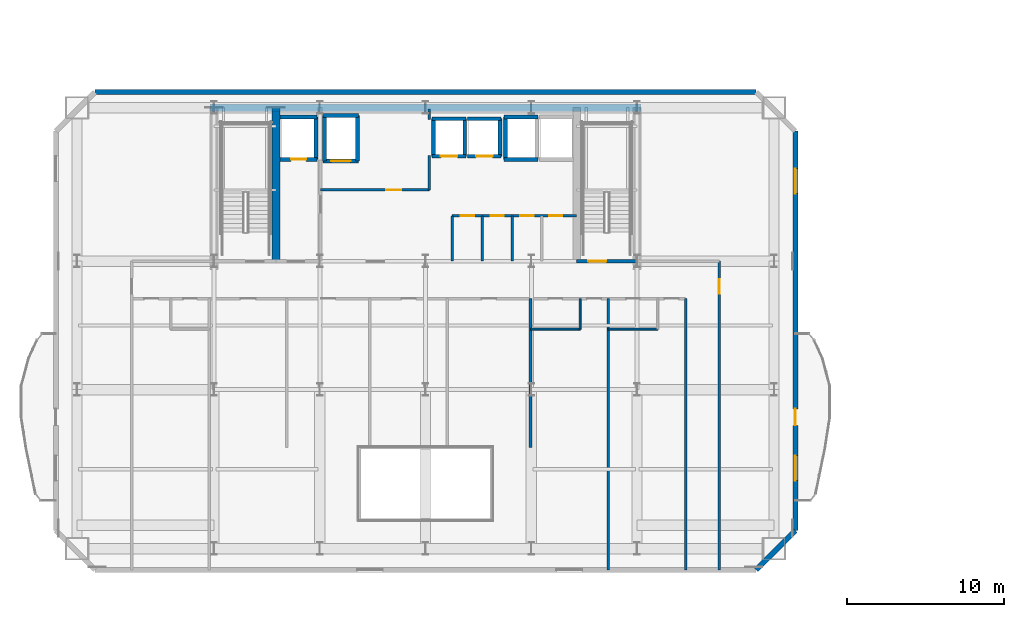
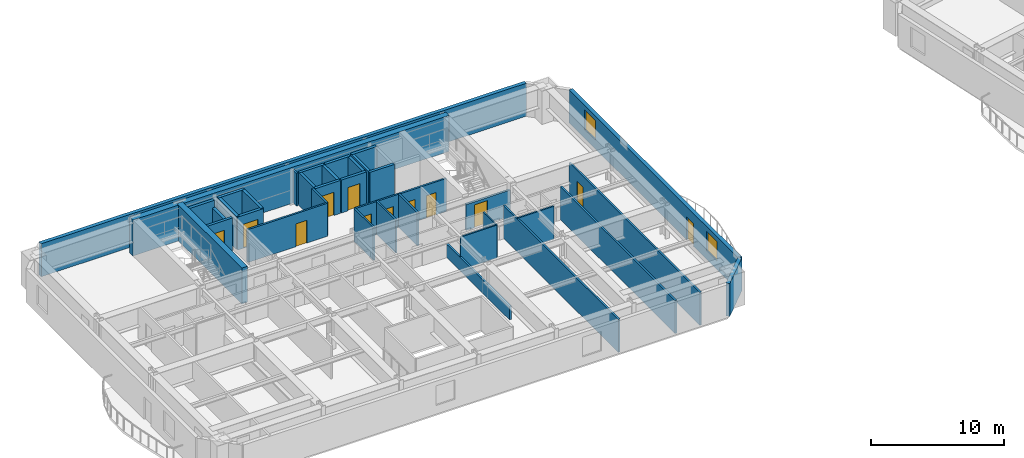
# One storey, part 8 of 15: 37 walls, 12 doors, 2 windows, 14 openings.
"""IFC4 building model written with IfcOpenShell, lengths in metres."""

from ifc_helpers import new_model, si_unit, direction, frame, frame_2d, origin, place, context, subcontext, project, spatial, rectangle, extrude, material, layer, layer_set, type_object, element, fill, save


model = new_model("IFC4")

# Units and contexts
model_context = context("Model", 3, precision=1e-05, world=origin(), true_north=direction((0.0, 1.0)))
body_context = subcontext(model_context, "Body", "Model", "MODEL_VIEW")
ifc_project = project(units=[si_unit("LENGTHUNIT", "METRE"), si_unit("AREAUNIT", "SQUARE_METRE"), si_unit("VOLUMEUNIT", "CUBIC_METRE"), si_unit("PLANEANGLEUNIT", "RADIAN"), si_unit("MASSUNIT", "GRAM", prefix="KILO")], contexts=[model_context])

# Site, building, storey
site_placement = place(None, origin())
site = spatial("IfcSite", under=ifc_project, at=site_placement, CompositionType="ELEMENT")
building_placement = place(site_placement, origin())
building = spatial("IfcBuilding", under=site, at=building_placement, Name="Haevon Station Towers", CompositionType="ELEMENT")
storey_placement = place(building_placement, frame((0.0, 0.0, 109.800048828125)))
storey = spatial("IfcBuildingStorey", under=building, at=storey_placement, Name="L29", CompositionType="ELEMENT", Elevation=109.800048828125)

# Wall
ifc_material_1 = material(Name="Gypsum board on steel stud", Category="steel")
ifc_layer_1 = layer(ifc_material_1, 0.179931640625)
ifc_layer_set_1 = layer_set([ifc_layer_1], Name="Gypsum board on steel stud")
wall_type_1 = type_object("IfcWallType", Name="WL-ACU180", PredefinedType="PARTITIONING", material=ifc_layer_set_1)
wall_1_placement = place(storey_placement, frame((44.201904296875, 26.300048828125, 0.0), z_axis=(0.0, 0.0, 1.0), x_axis=(0.0, 1.0, 0.0)))
element("IfcWall", 1, at=wall_1_placement, inside=storey, type_object=wall_type_1, Name="WL-T1PT-L29-18", PredefinedType="PARTITIONING", context=body_context, shape_type="SweptSolid", body=[
    extrude(rectangle(XDim=9.52001953125, YDim=0.179931640625, at=frame_2d((4.760009765625, 0.0))), origin(), (0.0, 0.0, 1.0), 1.22998046875),
])

# Wall, opening, door
ifc_layer_2 = layer(ifc_material_1, 0.199951171875)
ifc_layer_set_2 = layer_set([ifc_layer_2], Name="Gypsum board on steel stud")
wall_type_2 = type_object("IfcWallType", Name="WL-COR200", PredefinedType="PARTITIONING", material=ifc_layer_set_2)
wall_2_placement = place(storey_placement, frame((47.14990234375, 38.199951171875, 0.0), z_axis=(0.0, 0.0, 1.0), x_axis=(1.0, 0.0, 0.0)))
wall_2 = element("IfcWall", 2, at=wall_2_placement, inside=storey, type_object=wall_type_2, Name="WL-ST-ST2-L29", PredefinedType="PARTITIONING", context=body_context, shape_type="SweptSolid", body=[
    extrude(rectangle(XDim=3.85009765625, YDim=0.199951171875, at=frame_2d((1.925048828125, 0.0))), origin(), (0.0, 0.0, 1.0), 2.3798828125),
])
opening_1_placement = place(wall_2_placement, frame((0.75, 0.0, 0.0)))
opening_1 = element("IfcOpeningElement", 3, at=opening_1_placement, cuts=wall_2, Name="Opening DR-ST-ST2-L29", PredefinedType="OPENING", context=body_context, shape_type="SweptSolid", body=[
    extrude(rectangle(XDim=1.1201171875, YDim=2.10009765625, at=frame_2d((0.56005859375, 1.050048828125))), frame((0.0, 0.10986328125, 0.0), z_axis=(0.0, -1.0, 0.0), x_axis=(1.0, 0.0, 0.0)), (0.0, 0.0, 1.0), 0.219970703125),
])
ifc_material_2 = material(Name="Engineered oak timber", Category="wood")
door_type_1 = type_object("IfcDoorType", Name="DR-ST-1120", OperationType="NOTDEFINED", PredefinedType="DOOR", material=ifc_material_2)
door_1_placement = place(opening_1_placement, origin())
door_1 = element("IfcDoor", 4, at=door_1_placement, inside=storey, type_object=door_type_1, Name="L29 Escape Stair ST2 Fire Door", OperationType="SINGLE_SWING_LEFT", OverallHeight=2.10009765625, OverallWidth=1.1201171875, PredefinedType="DOOR", context=body_context, shape_type="SweptSolid", body=[
    extrude(rectangle(XDim=1.1201171875, YDim=2.10009765625, at=frame_2d((0.56005859375, 1.050048828125))), frame((0.0, 0.02490234375, 0.0), z_axis=(0.0, -1.0, 0.0), x_axis=(1.0, 0.0, 0.0)), (0.0, 0.0, 1.0), 0.050048828125),
])
fill(opening_1, door_1)

# Walls
ifc_material_3 = material(Name="Concrete C60/75", Category="concrete")
ifc_layer_3 = layer(ifc_material_3, 0.5)
ifc_layer_set_3 = layer_set([ifc_layer_3], Name="Concrete C60/75")
wall_type_3 = type_object("IfcWallType", Name="WL-CR500", PredefinedType="SHEAR", material=ifc_layer_set_3)
wall_3_placement = place(storey_placement, frame((23.75, 48.0, 0.0), z_axis=(0.0, 0.0, 1.0), x_axis=(1.0, 0.0, 0.0)))
element("IfcWall", 5, at=wall_3_placement, inside=storey, type_object=wall_type_3, Name="WL-T1CR-L29-N", PredefinedType="SHEAR", context=body_context, shape_type="SweptSolid", body=[
    extrude(rectangle(XDim=27.5, YDim=0.5, at=frame_2d((13.75, 0.0))), origin(), (0.0, 0.0, 1.0), 3.300048828125),
])
wall_4_placement = place(storey_placement, frame((27.949951171875, 38.199951171875, 0.0), z_axis=(0.0, 0.0, 1.0), x_axis=(0.0, 1.0, 0.0)))
element("IfcWall", 6, at=wall_4_placement, inside=storey, type_object=wall_type_3, Name="WL-T1CR-L29-M1", PredefinedType="SHEAR", context=body_context, shape_type="SweptSolid", body=[
    extrude(rectangle(XDim=9.800048828125, YDim=0.5, at=frame_2d((4.89990234375, 0.0))), origin(), (0.0, 0.0, 1.0), 3.300048828125),
])
ifc_material_4 = material(Name="Precast concrete C45/55", Category="concrete")
ifc_layer_4 = layer(ifc_material_4, 0.320068359375)
ifc_layer_set_4 = layer_set([ifc_layer_4], Name="Precast concrete C45/55")
wall_type_4 = type_object("IfcWallType", Name="WL-EXT-PIER320", PredefinedType="SOLIDWALL", material=ifc_layer_set_4)
wall_5_placement = place(storey_placement, frame((16.39990234375, 49.0, 0.0), z_axis=(0.0, 0.0, 1.0), x_axis=(1.0, 0.0, 0.0)))
element("IfcWall", 7, at=wall_5_placement, inside=storey, type_object=wall_type_4, Name="WL-T1-L29-N", PredefinedType="SOLIDWALL", context=body_context, shape_type="SweptSolid", body=[
    extrude(rectangle(XDim=42.2001953125, YDim=0.320068359375, at=frame_2d((21.10009765625, 0.0))), origin(), (0.0, 0.0, 1.0), 3.030029296875),
])

# Wall, openings, door, windows
wall_6_placement = place(storey_placement, frame((61.10009765625, 46.5, 0.0), z_axis=(0.0, 0.0, 1.0), x_axis=(0.0, -1.0, 0.0)))
wall_6 = element("IfcWall", 8, at=wall_6_placement, inside=storey, type_object=wall_type_4, Name="WL-T1-L29-E", PredefinedType="SOLIDWALL", context=body_context, shape_type="SweptSolid", body=[
    extrude(rectangle(XDim=25.5, YDim=0.320068359375, at=frame_2d((12.75, 0.0))), origin(), (0.0, 0.0, 1.0), 3.030029296875),
])
opening_2_placement = place(wall_6_placement, frame((17.72509765625, 0.0, 0.0)))
opening_2 = element("IfcOpeningElement", 9, at=opening_2_placement, cuts=wall_6, Name="Opening DR-T1-SCAL-L29-E", PredefinedType="OPENING", context=body_context, shape_type="SweptSolid", body=[
    extrude(rectangle(XDim=1.050048828125, YDim=2.10009765625, at=frame_2d((0.52490234375, 1.050048828125))), frame((0.0, 0.169921875, 0.0), z_axis=(0.0, -1.0, 0.0), x_axis=(1.0, 0.0, 0.0)), (0.0, 0.0, 1.0), 0.340087890625),
])
opening_3_placement = place(wall_6_placement, frame((2.392822265625, 0.0, 0.800048828125)))
opening_3 = element("IfcOpeningElement", 10, at=opening_3_placement, cuts=wall_6, Name="Opening WN-END160", PredefinedType="OPENING", context=body_context, shape_type="SweptSolid", body=[
    extrude(rectangle(XDim=1.60009765625, YDim=1.800048828125, at=frame_2d((0.800048828125, 0.89990234375))), frame((0.0, 0.169921875, 0.0), z_axis=(0.0, -1.0, 0.0), x_axis=(1.0, 0.0, 0.0)), (0.0, 0.0, 1.0), 0.340087890625),
])
opening_4_placement = place(wall_6_placement, frame((20.710693359375, 0.0, 0.800048828125)))
opening_4 = element("IfcOpeningElement", 11, at=opening_4_placement, cuts=wall_6, Name="Opening WN-END160", PredefinedType="OPENING", context=body_context, shape_type="SweptSolid", body=[
    extrude(rectangle(XDim=1.60009765625, YDim=1.800048828125, at=frame_2d((0.800048828125, 0.89990234375))), frame((0.0, 0.169921875, 0.0), z_axis=(0.0, -1.0, 0.0), x_axis=(1.0, 0.0, 0.0)), (0.0, 0.0, 1.0), 0.340087890625),
])
ifc_material_5 = material(Name="Thermally broken anodised aluminium and laminated safety glass", Category="aluminium")
door_type_2 = type_object("IfcDoorType", Name="DR-BALC-1050", OperationType="NOTDEFINED", PredefinedType="DOOR", material=ifc_material_5)
door_2_placement = place(opening_2_placement, origin())
door_2 = element("IfcDoor", 12, at=door_2_placement, inside=storey, type_object=door_type_2, Name="Tower 1 L29 East Scalloped Balcony Door", OperationType="SINGLE_SWING_LEFT", OverallHeight=2.10009765625, OverallWidth=1.050048828125, PredefinedType="DOOR", context=body_context, shape_type="SweptSolid", body=[
    extrude(rectangle(XDim=1.050048828125, YDim=2.10009765625, at=frame_2d((0.52490234375, 1.050048828125))), frame((0.0, 0.02490234375, 0.0), z_axis=(0.0, -1.0, 0.0), x_axis=(1.0, 0.0, 0.0)), (0.0, 0.0, 1.0), 0.050048828125),
])
fill(opening_2, door_2)
ifc_material_6 = material(Name="Low-E triple glazing in thermally broken aluminium", Category="aluminium")
window_type = type_object("IfcWindowType", Name="WN-END160", PartitioningType="SINGLE_PANEL", PredefinedType="WINDOW", material=ifc_material_6)
window_1_placement = place(opening_3_placement, origin())
window_1 = element("IfcWindow", 13, at=window_1_placement, inside=storey, type_object=window_type, Name="WN-T1-L29-E01", OverallHeight=1.800048828125, OverallWidth=1.60009765625, PartitioningType="SINGLE_PANEL", PredefinedType="WINDOW", context=body_context, shape_type="SweptSolid", body=[
    extrude(rectangle(XDim=1.60009765625, YDim=1.800048828125, at=frame_2d((0.800048828125, 0.89990234375))), frame((0.0, 0.030029296875, 0.0), z_axis=(0.0, -1.0, 0.0), x_axis=(1.0, 0.0, 0.0)), (0.0, 0.0, 1.0), 0.06005859375),
])
fill(opening_3, window_1)
window_2_placement = place(opening_4_placement, origin())
window_2 = element("IfcWindow", 14, at=window_2_placement, inside=storey, type_object=window_type, Name="WN-T1-L29-E02", OverallHeight=1.800048828125, OverallWidth=1.60009765625, PartitioningType="SINGLE_PANEL", PredefinedType="WINDOW", context=body_context, shape_type="SweptSolid", body=[
    extrude(rectangle(XDim=1.60009765625, YDim=1.800048828125, at=frame_2d((0.800048828125, 0.89990234375))), frame((0.0, 0.030029296875, 0.0), z_axis=(0.0, -1.0, 0.0), x_axis=(1.0, 0.0, 0.0)), (0.0, 0.0, 1.0), 0.06005859375),
])
fill(opening_4, window_2)

# Walls
wall_7_placement = place(storey_placement, frame((61.10009765625, 21.0, 0.0), z_axis=(0.0, 0.0, 1.0), x_axis=(-0.707106781187, -0.707106781187, 0.0)))
element("IfcWall", 15, at=wall_7_placement, inside=storey, type_object=wall_type_4, Name="WL-T1-L29-SEC", PredefinedType="SOLIDWALL", context=body_context, shape_type="SweptSolid", body=[
    extrude(rectangle(XDim=3.53564453125, YDim=0.320068359375, at=frame_2d((1.767822265625, 0.0))), origin(), (0.0, 0.0, 1.0), 3.030029296875),
])
ifc_layer_5 = layer(ifc_material_1, 0.125)
ifc_layer_set_5 = layer_set([ifc_layer_5], Name="Gypsum board on steel stud")
wall_type_5 = type_object("IfcWallType", Name="WL-PRT125", PredefinedType="PARTITIONING", material=ifc_layer_set_5)
wall_8_placement = place(storey_placement, frame((44.201904296875, 33.8701171875, 0.0), z_axis=(0.0, 0.0, 1.0), x_axis=(1.0, 0.0, 0.0)))
element("IfcWall", 16, at=wall_8_placement, inside=storey, type_object=wall_type_5, Name="WL-T1PT-L29-20", PredefinedType="PARTITIONING", context=body_context, shape_type="SweptSolid", body=[
    extrude(rectangle(XDim=3.169189453125, YDim=0.125, at=frame_2d((1.58447265625, 0.0))), origin(), (0.0, 0.0, 1.0), 3.030029296875),
])
wall_9_placement = place(storey_placement, frame((47.37109375, 33.8701171875, 0.0), z_axis=(0.0, 0.0, 1.0), x_axis=(0.0, 1.0, 0.0)))
element("IfcWall", 17, at=wall_9_placement, inside=storey, type_object=wall_type_5, Name="WL-T1PT-L29-21", PredefinedType="PARTITIONING", context=body_context, shape_type="SweptSolid", body=[
    extrude(rectangle(XDim=1.949951171875, YDim=0.125, at=frame_2d((0.97509765625, 0.0))), origin(), (0.0, 0.0, 1.0), 3.030029296875),
])
wall_10_placement = place(storey_placement, frame((49.15087890625, 33.8701171875, 0.0), z_axis=(0.0, 0.0, 1.0), x_axis=(1.0, 0.0, 0.0)))
element("IfcWall", 18, at=wall_10_placement, inside=storey, type_object=wall_type_5, Name="WL-T1PT-L29-23", PredefinedType="PARTITIONING", context=body_context, shape_type="SweptSolid", body=[
    extrude(rectangle(XDim=3.169189453125, YDim=0.125, at=frame_2d((1.58447265625, 0.0))), origin(), (0.0, 0.0, 1.0), 3.030029296875),
])

# Wall, opening, door
ifc_layer_6 = layer(ifc_material_1, 0.159912109375)
ifc_layer_set_6 = layer_set([ifc_layer_6], Name="Gypsum board on steel stud")
wall_type_6 = type_object("IfcWallType", Name="WL-PRT160", PredefinedType="PARTITIONING", material=ifc_layer_set_6)
wall_11_placement = place(storey_placement, frame((30.800048828125, 42.75, 0.0), z_axis=(0.0, 0.0, 1.0), x_axis=(1.0, 0.0, 0.0)))
wall_11 = element("IfcWall", 19, at=wall_11_placement, inside=storey, type_object=wall_type_6, Name="WL-T1CW-L29-01", PredefinedType="PARTITIONING", context=body_context, shape_type="SweptSolid", body=[
    extrude(rectangle(XDim=6.949951171875, YDim=0.159912109375, at=frame_2d((3.47509765625, 0.0))), origin(), (0.0, 0.0, 1.0), 3.030029296875),
])
opening_5_placement = place(wall_11_placement, frame((4.199951171875, 0.0, 0.0)))
opening_5 = element("IfcOpeningElement", 20, at=opening_5_placement, cuts=wall_11, Name="Opening DR-WL-T1CW-L29-01-1", PredefinedType="OPENING", context=body_context, shape_type="SweptSolid", body=[
    extrude(rectangle(XDim=0.949951171875, YDim=2.10009765625, at=frame_2d((0.47509765625, 1.050048828125))), frame((0.0, 0.08984375, 0.0), z_axis=(0.0, -1.0, 0.0), x_axis=(1.0, 0.0, 0.0)), (0.0, 0.0, 1.0), 0.179931640625),
])
door_type_3 = type_object("IfcDoorType", Name="DR-FD60-950", OperationType="NOTDEFINED", PredefinedType="DOOR", material=ifc_material_2)
door_3_placement = place(opening_5_placement, origin())
door_3 = element("IfcDoor", 21, at=door_3_placement, inside=storey, type_object=door_type_3, Name="L29 Tower 1 Core Room Door 1-1", OperationType="SINGLE_SWING_LEFT", OverallHeight=2.10009765625, OverallWidth=0.949951171875, PredefinedType="DOOR", context=body_context, shape_type="SweptSolid", body=[
    extrude(rectangle(XDim=0.949951171875, YDim=2.10009765625, at=frame_2d((0.47509765625, 1.050048828125))), frame((0.0, 0.02490234375, 0.0), z_axis=(0.0, -1.0, 0.0), x_axis=(1.0, 0.0, 0.0)), (0.0, 0.0, 1.0), 0.050048828125),
])
fill(opening_5, door_3)

# Walls
wall_12_placement = place(storey_placement, frame((37.75, 42.75, 0.0), z_axis=(0.0, 0.0, 1.0), x_axis=(0.0, 1.0, 0.0)))
element("IfcWall", 22, at=wall_12_placement, inside=storey, type_object=wall_type_6, Name="WL-T1CW-L29-02", PredefinedType="PARTITIONING", context=body_context, shape_type="SweptSolid", body=[
    extrude(rectangle(XDim=2.199951171875, YDim=0.159912109375, at=frame_2d((1.10009765625, 0.0))), origin(), (0.0, 0.0, 1.0), 3.030029296875),
])
wall_13_placement = place(storey_placement, frame((37.75, 47.25, 0.0), z_axis=(0.0, 0.0, 1.0), x_axis=(0.0, 1.0, 0.0)))
element("IfcWall", 23, at=wall_13_placement, inside=storey, type_object=wall_type_6, Name="WL-T1CW-L29-03", PredefinedType="PARTITIONING", context=body_context, shape_type="SweptSolid", body=[
    extrude(rectangle(XDim=0.64990234375, YDim=0.159912109375, at=frame_2d((0.324951171875, 0.0))), origin(), (0.0, 0.0, 1.0), 3.030029296875),
])
for number, where, z_axis, x_axis, name in (
    (24, (39.199951171875, 38.199951171875, 0.0), (0.0, 0.0, 1.0), (0.0, 1.0, 0.0), "WL-T1CW-L29-04"),
    (25, (41.1298828125, 38.199951171875, 0.0), (0.0, 0.0, 1.0), (0.0, 1.0, 0.0), "WL-T1CW-L29-05"),
    (26, (43.030029296875, 38.199951171875, 0.0), (0.0, 0.0, 1.0), (0.0, 1.0, 0.0), "WL-T1CW-L29-06"),
):
    element("IfcWall", number, at=place(storey_placement, frame(where, z_axis=z_axis, x_axis=x_axis)), inside=storey, type_object=wall_type_6, Name=name, PredefinedType="PARTITIONING", context=body_context, shape_type="SweptSolid", body=[
        extrude(rectangle(XDim=2.900146484375, YDim=0.159912109375, at=frame_2d((1.4501953125, 0.0))), origin(), (0.0, 0.0, 1.0), 3.030029296875),
    ])

# Wall, openings, doors
wall_14_placement = place(storey_placement, frame((39.199951171875, 41.10009765625, 0.0), z_axis=(0.0, 0.0, 1.0), x_axis=(1.0, 0.0, 0.0)))
wall_14 = element("IfcWall", 27, at=wall_14_placement, inside=storey, type_object=wall_type_6, Name="WL-T1CW-L29-08", PredefinedType="PARTITIONING", context=body_context, shape_type="SweptSolid", body=[
    extrude(rectangle(XDim=7.949951171875, YDim=0.159912109375, at=frame_2d((3.97509765625, 0.0))), origin(), (0.0, 0.0, 1.0), 3.030029296875),
])
opening_6_placement = place(wall_14_placement, frame((0.56005859375, 0.0, 0.0)))
opening_6 = element("IfcOpeningElement", 28, at=opening_6_placement, cuts=wall_14, Name="Opening DR-WL-T1CW-L29-08-1", PredefinedType="OPENING", context=body_context, shape_type="SweptSolid", body=[
    extrude(rectangle(XDim=0.85009765625, YDim=2.050048828125, at=frame_2d((0.425048828125, 1.02490234375))), frame((0.0, 0.08984375, 0.0), z_axis=(0.0, -1.0, 0.0), x_axis=(1.0, 0.0, 0.0)), (0.0, 0.0, 1.0), 0.179931640625),
])
opening_7_placement = place(wall_14_placement, frame((2.455078125, 0.0, 0.0)))
opening_7 = element("IfcOpeningElement", 29, at=opening_7_placement, cuts=wall_14, Name="Opening DR-WL-T1CW-L29-08-2", PredefinedType="OPENING", context=body_context, shape_type="SweptSolid", body=[
    extrude(rectangle(XDim=0.85009765625, YDim=2.050048828125, at=frame_2d((0.425048828125, 1.02490234375))), frame((0.0, 0.08984375, 0.0), z_axis=(0.0, -1.0, 0.0), x_axis=(1.0, 0.0, 0.0)), (0.0, 0.0, 1.0), 0.179931640625),
])
opening_8_placement = place(wall_14_placement, frame((4.35498046875, 0.0, 0.0)))
opening_8 = element("IfcOpeningElement", 30, at=opening_8_placement, cuts=wall_14, Name="Opening DR-WL-T1CW-L29-08-3", PredefinedType="OPENING", context=body_context, shape_type="SweptSolid", body=[
    extrude(rectangle(XDim=0.85009765625, YDim=2.050048828125, at=frame_2d((0.425048828125, 1.02490234375))), frame((0.0, 0.08984375, 0.0), z_axis=(0.0, -1.0, 0.0), x_axis=(1.0, 0.0, 0.0)), (0.0, 0.0, 1.0), 0.179931640625),
])
opening_9_placement = place(wall_14_placement, frame((6.179931640625, 0.0, 0.0)))
opening_9 = element("IfcOpeningElement", 31, at=opening_9_placement, cuts=wall_14, Name="Opening DR-WL-T1CW-L29-08-4", PredefinedType="OPENING", context=body_context, shape_type="SweptSolid", body=[
    extrude(rectangle(XDim=0.85009765625, YDim=2.050048828125, at=frame_2d((0.425048828125, 1.02490234375))), frame((0.0, 0.08984375, 0.0), z_axis=(0.0, -1.0, 0.0), x_axis=(1.0, 0.0, 0.0)), (0.0, 0.0, 1.0), 0.179931640625),
])
door_type_4 = type_object("IfcDoorType", Name="DR-FD30-850", OperationType="NOTDEFINED", PredefinedType="DOOR", material=ifc_material_2)
door_4_placement = place(opening_6_placement, origin())
door_4 = element("IfcDoor", 32, at=door_4_placement, inside=storey, type_object=door_type_4, Name="L29 Tower 1 Core Room Door 8-1", OperationType="SINGLE_SWING_RIGHT", OverallHeight=2.050048828125, OverallWidth=0.85009765625, PredefinedType="DOOR", context=body_context, shape_type="SweptSolid", body=[
    extrude(rectangle(XDim=0.85009765625, YDim=2.050048828125, at=frame_2d((0.425048828125, 1.02490234375))), frame((0.0, 0.02490234375, 0.0), z_axis=(0.0, -1.0, 0.0), x_axis=(1.0, 0.0, 0.0)), (0.0, 0.0, 1.0), 0.050048828125),
])
fill(opening_6, door_4)
door_5_placement = place(opening_7_placement, origin())
door_5 = element("IfcDoor", 33, at=door_5_placement, inside=storey, type_object=door_type_4, Name="L29 Tower 1 Core Room Door 8-2", OperationType="SINGLE_SWING_LEFT", OverallHeight=2.050048828125, OverallWidth=0.85009765625, PredefinedType="DOOR", context=body_context, shape_type="SweptSolid", body=[
    extrude(rectangle(XDim=0.85009765625, YDim=2.050048828125, at=frame_2d((0.425048828125, 1.02490234375))), frame((0.0, 0.02490234375, 0.0), z_axis=(0.0, -1.0, 0.0), x_axis=(1.0, 0.0, 0.0)), (0.0, 0.0, 1.0), 0.050048828125),
])
fill(opening_7, door_5)
door_6_placement = place(opening_8_placement, origin())
door_6 = element("IfcDoor", 34, at=door_6_placement, inside=storey, type_object=door_type_4, Name="L29 Tower 1 Core Room Door 8-3", OperationType="SINGLE_SWING_RIGHT", OverallHeight=2.050048828125, OverallWidth=0.85009765625, PredefinedType="DOOR", context=body_context, shape_type="SweptSolid", body=[
    extrude(rectangle(XDim=0.85009765625, YDim=2.050048828125, at=frame_2d((0.425048828125, 1.02490234375))), frame((0.0, 0.02490234375, 0.0), z_axis=(0.0, -1.0, 0.0), x_axis=(1.0, 0.0, 0.0)), (0.0, 0.0, 1.0), 0.050048828125),
])
fill(opening_8, door_6)
door_7_placement = place(opening_9_placement, origin())
door_7 = element("IfcDoor", 35, at=door_7_placement, inside=storey, type_object=door_type_4, Name="L29 Tower 1 Core Room Door 8-4", OperationType="SINGLE_SWING_LEFT", OverallHeight=2.050048828125, OverallWidth=0.85009765625, PredefinedType="DOOR", context=body_context, shape_type="SweptSolid", body=[
    extrude(rectangle(XDim=0.85009765625, YDim=2.050048828125, at=frame_2d((0.425048828125, 1.02490234375))), frame((0.0, 0.02490234375, 0.0), z_axis=(0.0, -1.0, 0.0), x_axis=(1.0, 0.0, 0.0)), (0.0, 0.0, 1.0), 0.050048828125),
])
fill(opening_9, door_7)

# Wall
wall_15_placement = place(storey_placement, frame((54.10009765625, 18.5, 0.0), z_axis=(0.0, 0.0, 1.0), x_axis=(0.0, 1.0, 0.0)))
element("IfcWall", 36, at=wall_15_placement, inside=storey, type_object=wall_type_6, Name="WL-T1PT-L29-01", PredefinedType="PARTITIONING", context=body_context, shape_type="SweptSolid", body=[
    extrude(rectangle(XDim=17.320068359375, YDim=0.159912109375, at=frame_2d((8.66015625, 0.0))), origin(), (0.0, 0.0, 1.0), 3.030029296875),
])

# Wall, opening, door
wall_16_placement = place(storey_placement, frame((56.25, 18.5, 0.0), z_axis=(0.0, 0.0, 1.0), x_axis=(0.0, 1.0, 0.0)))
wall_16 = element("IfcWall", 37, at=wall_16_placement, inside=storey, type_object=wall_type_6, Name="WL-T1PT-L29-05", PredefinedType="PARTITIONING", context=body_context, shape_type="SweptSolid", body=[
    extrude(rectangle(XDim=19.699951171875, YDim=0.159912109375, at=frame_2d((9.85009765625, 0.0))), origin(), (0.0, 0.0, 1.0), 3.030029296875),
])
opening_10_placement = place(wall_16_placement, frame((17.639892578125, 0.0, 0.0)))
opening_10 = element("IfcOpeningElement", 38, at=opening_10_placement, cuts=wall_16, Name="Opening DR-WL-T1PT-L29-05-01", PredefinedType="OPENING", context=body_context, shape_type="SweptSolid", body=[
    extrude(rectangle(XDim=0.89990234375, YDim=2.050048828125, at=frame_2d((0.449951171875, 1.02490234375))), frame((0.0, 0.08984375, 0.0), z_axis=(0.0, -1.0, 0.0), x_axis=(1.0, 0.0, 0.0)), (0.0, 0.0, 1.0), 0.179931640625),
])
door_type_5 = type_object("IfcDoorType", Name="DR-INT-900", OperationType="NOTDEFINED", PredefinedType="DOOR", material=ifc_material_2)
door_8_placement = place(opening_10_placement, origin())
door_8 = element("IfcDoor", 39, at=door_8_placement, inside=storey, type_object=door_type_5, Name="L29 Tower 1 Room Door 5-1", OperationType="SINGLE_SWING_LEFT", OverallHeight=2.050048828125, OverallWidth=0.89990234375, PredefinedType="DOOR", context=body_context, shape_type="SweptSolid", body=[
    extrude(rectangle(XDim=0.89990234375, YDim=2.050048828125, at=frame_2d((0.449951171875, 1.02490234375))), frame((0.0, 0.02490234375, 0.0), z_axis=(0.0, -1.0, 0.0), x_axis=(1.0, 0.0, 0.0)), (0.0, 0.0, 1.0), 0.050048828125),
])
fill(opening_10, door_8)

# Wall
wall_17_placement = place(storey_placement, frame((49.15087890625, 18.5, 0.0), z_axis=(0.0, 0.0, 1.0), x_axis=(0.0, 1.0, 0.0)))
element("IfcWall", 40, at=wall_17_placement, inside=storey, type_object=wall_type_6, Name="WL-T1PT-L29-22", PredefinedType="PARTITIONING", context=body_context, shape_type="SweptSolid", body=[
    extrude(rectangle(XDim=17.320068359375, YDim=0.159912109375, at=frame_2d((8.66015625, 0.0))), origin(), (0.0, 0.0, 1.0), 3.030029296875),
])

# Wall, opening, door
ifc_material_7 = material(Name="Concrete C40/50", Category="concrete")
ifc_layer_7 = layer(ifc_material_7, 0.239990234375)
ifc_layer_set_7 = layer_set([ifc_layer_7], Name="Concrete C40/50")
wall_type_7 = type_object("IfcWallType", Name="WL-SHF240", PredefinedType="PARTITIONING", material=ifc_layer_set_7)
wall_18_placement = place(storey_placement, frame((28.219970703125, 44.699951171875, 0.0), z_axis=(0.0, 0.0, 1.0), x_axis=(1.0, 0.0, 0.0)))
wall_18 = element("IfcWall", 41, at=wall_18_placement, inside=storey, type_object=wall_type_7, Name="WL-SHF-FL1-L29", PredefinedType="PARTITIONING", context=body_context, shape_type="SweptSolid", body=[
    extrude(rectangle(XDim=2.360107421875, YDim=0.239990234375, at=frame_2d((1.18017578125, 0.0))), origin(), (0.0, 0.0, 1.0), 3.030029296875),
])
opening_11_placement = place(wall_18_placement, frame((0.705078125, 0.0, 0.0)))
opening_11 = element("IfcOpeningElement", 42, at=opening_11_placement, cuts=wall_18, Name="Opening LD-FL1-L29", PredefinedType="OPENING", context=body_context, shape_type="SweptSolid", body=[
    extrude(rectangle(XDim=0.949951171875, YDim=2.14990234375, at=frame_2d((0.47509765625, 1.074951171875))), frame((0.0, 0.1298828125, 0.0), z_axis=(0.0, -1.0, 0.0), x_axis=(1.0, 0.0, 0.0)), (0.0, 0.0, 1.0), 0.260009765625),
])
ifc_material_8 = material(Name="Stainless steel and rated core", Category="steel")
door_type_6 = type_object("IfcDoorType", Name="LD-FL950", OperationType="SLIDING_TO_LEFT", PredefinedType="DOOR", material=ifc_material_8)
door_9_placement = place(opening_11_placement, origin())
door_9 = element("IfcDoor", 43, at=door_9_placement, inside=storey, type_object=door_type_6, Name="L29 Lift FL1 Sliding Landing Door", OperationType="SLIDING_TO_LEFT", OverallHeight=2.14990234375, OverallWidth=0.949951171875, PredefinedType="DOOR", context=body_context, shape_type="SweptSolid", body=[
    extrude(rectangle(XDim=0.949951171875, YDim=2.14990234375, at=frame_2d((0.47509765625, 1.074951171875))), frame((0.0, 0.02490234375, 0.0), z_axis=(0.0, -1.0, 0.0), x_axis=(1.0, 0.0, 0.0)), (0.0, 0.0, 1.0), 0.050048828125),
])
fill(opening_11, door_9)

# Walls
wall_19_placement = place(storey_placement, frame((28.219970703125, 47.39990234375, 0.0), z_axis=(0.0, 0.0, 1.0), x_axis=(1.0, 0.0, 0.0)))
element("IfcWall", 44, at=wall_19_placement, inside=storey, type_object=wall_type_7, Name="WL-SHF-FL1-L29-N", PredefinedType="PARTITIONING", context=body_context, shape_type="SweptSolid", body=[
    extrude(rectangle(XDim=2.360107421875, YDim=0.239990234375, at=frame_2d((1.18017578125, 0.0))), origin(), (0.0, 0.0, 1.0), 3.030029296875),
])
wall_20_placement = place(storey_placement, frame((30.5, 44.699951171875, 0.0), z_axis=(0.0, 0.0, 1.0), x_axis=(0.0, 1.0, 0.0)))
element("IfcWall", 45, at=wall_20_placement, inside=storey, type_object=wall_type_7, Name="WL-SHF-FL1-L29-E", PredefinedType="PARTITIONING", context=body_context, shape_type="SweptSolid", body=[
    extrude(rectangle(XDim=2.699951171875, YDim=0.239990234375, at=frame_2d((1.35009765625, 0.0))), origin(), (0.0, 0.0, 1.0), 2.3798828125),
])

# Wall, opening, door
wall_21_placement = place(storey_placement, frame((30.969970703125, 44.60009765625, 0.0), z_axis=(0.0, 0.0, 1.0), x_axis=(1.0, 0.0, 0.0)))
wall_21 = element("IfcWall", 46, at=wall_21_placement, inside=storey, type_object=wall_type_7, Name="WL-SHF-SL1-L29", PredefinedType="PARTITIONING", context=body_context, shape_type="SweptSolid", body=[
    extrude(rectangle(XDim=2.260009765625, YDim=0.239990234375, at=frame_2d((1.1298828125, 0.0))), origin(), (0.0, 0.0, 1.0), 3.030029296875),
])
opening_12_placement = place(wall_21_placement, frame((0.5048828125, 0.0, 0.0)))
opening_12 = element("IfcOpeningElement", 47, at=opening_12_placement, cuts=wall_21, Name="Opening LD-SL1-L29", PredefinedType="OPENING", context=body_context, shape_type="SweptSolid", body=[
    extrude(rectangle(XDim=1.25, YDim=2.199951171875, at=frame_2d((0.625, 1.10009765625))), frame((0.0, 0.1298828125, 0.0), z_axis=(0.0, -1.0, 0.0), x_axis=(1.0, 0.0, 0.0)), (0.0, 0.0, 1.0), 0.260009765625),
])
door_type_7 = type_object("IfcDoorType", Name="LD-SL1250", OperationType="SLIDING_TO_LEFT", PredefinedType="DOOR", material=ifc_material_8)
door_10_placement = place(opening_12_placement, origin())
door_10 = element("IfcDoor", 48, at=door_10_placement, inside=storey, type_object=door_type_7, Name="L29 Lift SL1 Sliding Landing Door", OperationType="SLIDING_TO_LEFT", OverallHeight=2.199951171875, OverallWidth=1.25, PredefinedType="DOOR", context=body_context, shape_type="SweptSolid", body=[
    extrude(rectangle(XDim=1.25, YDim=2.199951171875, at=frame_2d((0.625, 1.10009765625))), frame((0.0, 0.02490234375, 0.0), z_axis=(0.0, -1.0, 0.0), x_axis=(1.0, 0.0, 0.0)), (0.0, 0.0, 1.0), 0.050048828125),
])
fill(opening_12, door_10)

# Walls
wall_22_placement = place(storey_placement, frame((30.969970703125, 47.5, 0.0), z_axis=(0.0, 0.0, 1.0), x_axis=(1.0, 0.0, 0.0)))
element("IfcWall", 49, at=wall_22_placement, inside=storey, type_object=wall_type_7, Name="WL-SHF-SL1-L29-N", PredefinedType="PARTITIONING", context=body_context, shape_type="SweptSolid", body=[
    extrude(rectangle(XDim=2.260009765625, YDim=0.239990234375, at=frame_2d((1.1298828125, 0.0))), origin(), (0.0, 0.0, 1.0), 3.030029296875),
])
for number, where, z_axis, x_axis, name in (
    (50, (31.050048828125, 44.60009765625, 0.0), (0.0, 0.0, 1.0), (0.0, 1.0, 0.0), "WL-SHF-SL1-L29-W"),
    (51, (33.14990234375, 44.60009765625, 0.0), (0.0, 0.0, 1.0), (0.0, 1.0, 0.0), "WL-SHF-SL1-L29-E"),
):
    element("IfcWall", number, at=place(storey_placement, frame(where, z_axis=z_axis, x_axis=x_axis)), inside=storey, type_object=wall_type_7, Name=name, PredefinedType="PARTITIONING", context=body_context, shape_type="SweptSolid", body=[
        extrude(rectangle(XDim=2.89990234375, YDim=0.239990234375, at=frame_2d((1.449951171875, 0.0))), origin(), (0.0, 0.0, 1.0), 3.030029296875),
    ])

# Wall, opening, door
wall_23_placement = place(storey_placement, frame((37.919921875, 44.89990234375, 0.0), z_axis=(0.0, 0.0, 1.0), x_axis=(1.0, 0.0, 0.0)))
wall_23 = element("IfcWall", 52, at=wall_23_placement, inside=storey, type_object=wall_type_7, Name="WL-SHF-PL3-L29", PredefinedType="PARTITIONING", context=body_context, shape_type="SweptSolid", body=[
    extrude(rectangle(XDim=2.16015625, YDim=0.239990234375, at=frame_2d((1.080078125, 0.0))), origin(), (0.0, 0.0, 1.0), 3.030029296875),
])
opening_13_placement = place(wall_23_placement, frame((0.554931640625, 0.0, 0.0)))
opening_13 = element("IfcOpeningElement", 53, at=opening_13_placement, cuts=wall_23, Name="Opening LD-PL3-L29", PredefinedType="OPENING", context=body_context, shape_type="SweptSolid", body=[
    extrude(rectangle(XDim=1.050048828125, YDim=2.14990234375, at=frame_2d((0.52490234375, 1.074951171875))), frame((0.0, 0.1298828125, 0.0), z_axis=(0.0, -1.0, 0.0), x_axis=(1.0, 0.0, 0.0)), (0.0, 0.0, 1.0), 0.260009765625),
])
door_type_8 = type_object("IfcDoorType", Name="LD-PL1050", OperationType="SLIDING_TO_LEFT", PredefinedType="DOOR", material=ifc_material_8)
door_11_placement = place(opening_13_placement, origin())
door_11 = element("IfcDoor", 54, at=door_11_placement, inside=storey, type_object=door_type_8, Name="L29 Lift PL3 Sliding Landing Door", OperationType="SLIDING_TO_LEFT", OverallHeight=2.14990234375, OverallWidth=1.050048828125, PredefinedType="DOOR", context=body_context, shape_type="SweptSolid", body=[
    extrude(rectangle(XDim=1.050048828125, YDim=2.14990234375, at=frame_2d((0.52490234375, 1.074951171875))), frame((0.0, 0.02490234375, 0.0), z_axis=(0.0, -1.0, 0.0), x_axis=(1.0, 0.0, 0.0)), (0.0, 0.0, 1.0), 0.050048828125),
])
fill(opening_13, door_11)

# Walls
wall_24_placement = place(storey_placement, frame((37.919921875, 47.300048828125, 0.0), z_axis=(0.0, 0.0, 1.0), x_axis=(1.0, 0.0, 0.0)))
element("IfcWall", 55, at=wall_24_placement, inside=storey, type_object=wall_type_7, Name="WL-SHF-PL3-L29-N", PredefinedType="PARTITIONING", context=body_context, shape_type="SweptSolid", body=[
    extrude(rectangle(XDim=2.16015625, YDim=0.239990234375, at=frame_2d((1.080078125, 0.0))), origin(), (0.0, 0.0, 1.0), 3.030029296875),
])
for number, where, z_axis, x_axis, name in (
    (56, (38.0, 44.89990234375, 0.0), (0.0, 0.0, 1.0), (0.0, 1.0, 0.0), "WL-SHF-PL3-L29-W"),
    (57, (40.0, 44.89990234375, 0.0), (0.0, 0.0, 1.0), (0.0, 1.0, 0.0), "WL-SHF-PL3-L29-E"),
):
    element("IfcWall", number, at=place(storey_placement, frame(where, z_axis=z_axis, x_axis=x_axis)), inside=storey, type_object=wall_type_7, Name=name, PredefinedType="PARTITIONING", context=body_context, shape_type="SweptSolid", body=[
        extrude(rectangle(XDim=2.400146484375, YDim=0.239990234375, at=frame_2d((1.2001953125, 0.0))), origin(), (0.0, 0.0, 1.0), 3.030029296875),
    ])

# Wall, opening, door
wall_25_placement = place(storey_placement, frame((40.169921875, 44.89990234375, 0.0), z_axis=(0.0, 0.0, 1.0), x_axis=(1.0, 0.0, 0.0)))
wall_25 = element("IfcWall", 58, at=wall_25_placement, inside=storey, type_object=wall_type_7, Name="WL-SHF-PL4-L29", PredefinedType="PARTITIONING", context=body_context, shape_type="SweptSolid", body=[
    extrude(rectangle(XDim=2.16015625, YDim=0.239990234375, at=frame_2d((1.080078125, 0.0))), origin(), (0.0, 0.0, 1.0), 3.030029296875),
])
opening_14_placement = place(wall_25_placement, frame((0.554931640625, 0.0, 0.0)))
opening_14 = element("IfcOpeningElement", 59, at=opening_14_placement, cuts=wall_25, Name="Opening LD-PL4-L29", PredefinedType="OPENING", context=body_context, shape_type="SweptSolid", body=[
    extrude(rectangle(XDim=1.050048828125, YDim=2.14990234375, at=frame_2d((0.52490234375, 1.074951171875))), frame((0.0, 0.1298828125, 0.0), z_axis=(0.0, -1.0, 0.0), x_axis=(1.0, 0.0, 0.0)), (0.0, 0.0, 1.0), 0.260009765625),
])
door_12_placement = place(opening_14_placement, origin())
door_12 = element("IfcDoor", 60, at=door_12_placement, inside=storey, type_object=door_type_8, Name="L29 Lift PL4 Sliding Landing Door", OperationType="SLIDING_TO_LEFT", OverallHeight=2.14990234375, OverallWidth=1.050048828125, PredefinedType="DOOR", context=body_context, shape_type="SweptSolid", body=[
    extrude(rectangle(XDim=1.050048828125, YDim=2.14990234375, at=frame_2d((0.52490234375, 1.074951171875))), frame((0.0, 0.02490234375, 0.0), z_axis=(0.0, -1.0, 0.0), x_axis=(1.0, 0.0, 0.0)), (0.0, 0.0, 1.0), 0.050048828125),
])
fill(opening_14, door_12)

# Walls
wall_26_placement = place(storey_placement, frame((40.169921875, 47.300048828125, 0.0), z_axis=(0.0, 0.0, 1.0), x_axis=(1.0, 0.0, 0.0)))
element("IfcWall", 61, at=wall_26_placement, inside=storey, type_object=wall_type_7, Name="WL-SHF-PL4-L29-N", PredefinedType="PARTITIONING", context=body_context, shape_type="SweptSolid", body=[
    extrude(rectangle(XDim=2.16015625, YDim=0.239990234375, at=frame_2d((1.080078125, 0.0))), origin(), (0.0, 0.0, 1.0), 3.030029296875),
])
wall_27_placement = place(storey_placement, frame((42.25, 44.89990234375, 0.0), z_axis=(0.0, 0.0, 1.0), x_axis=(0.0, 1.0, 0.0)))
element("IfcWall", 62, at=wall_27_placement, inside=storey, type_object=wall_type_7, Name="WL-SHF-PL4-L29-E", PredefinedType="PARTITIONING", context=body_context, shape_type="SweptSolid", body=[
    extrude(rectangle(XDim=2.400146484375, YDim=0.239990234375, at=frame_2d((1.2001953125, 0.0))), origin(), (0.0, 0.0, 1.0), 3.030029296875),
])
for number, where, z_axis, x_axis, name in (
    (63, (42.52001953125, 44.699951171875, 0.0), (0.0, 0.0, 1.0), (1.0, 0.0, 0.0), "WL-SHF-PL5-L29"),
    (64, (42.52001953125, 47.39990234375, 0.0), (0.0, 0.0, 1.0), (1.0, 0.0, 0.0), "WL-SHF-PL5-L29-N"),
):
    element("IfcWall", number, at=place(storey_placement, frame(where, z_axis=z_axis, x_axis=x_axis)), inside=storey, type_object=wall_type_7, Name=name, PredefinedType="PARTITIONING", context=body_context, shape_type="SweptSolid", body=[
        extrude(rectangle(XDim=2.159912109375, YDim=0.239990234375, at=frame_2d((1.080078125, 0.0))), origin(), (0.0, 0.0, 1.0), 3.030029296875),
    ])
wall_28_placement = place(storey_placement, frame((42.60009765625, 44.699951171875, 0.0), z_axis=(0.0, 0.0, 1.0), x_axis=(0.0, 1.0, 0.0)))
element("IfcWall", 65, at=wall_28_placement, inside=storey, type_object=wall_type_7, Name="WL-SHF-PL5-L29-W", PredefinedType="PARTITIONING", context=body_context, shape_type="SweptSolid", body=[
    extrude(rectangle(XDim=2.699951171875, YDim=0.239990234375, at=frame_2d((1.35009765625, 0.0))), origin(), (0.0, 0.0, 1.0), 3.030029296875),
])

save(model, "model.ifc")
